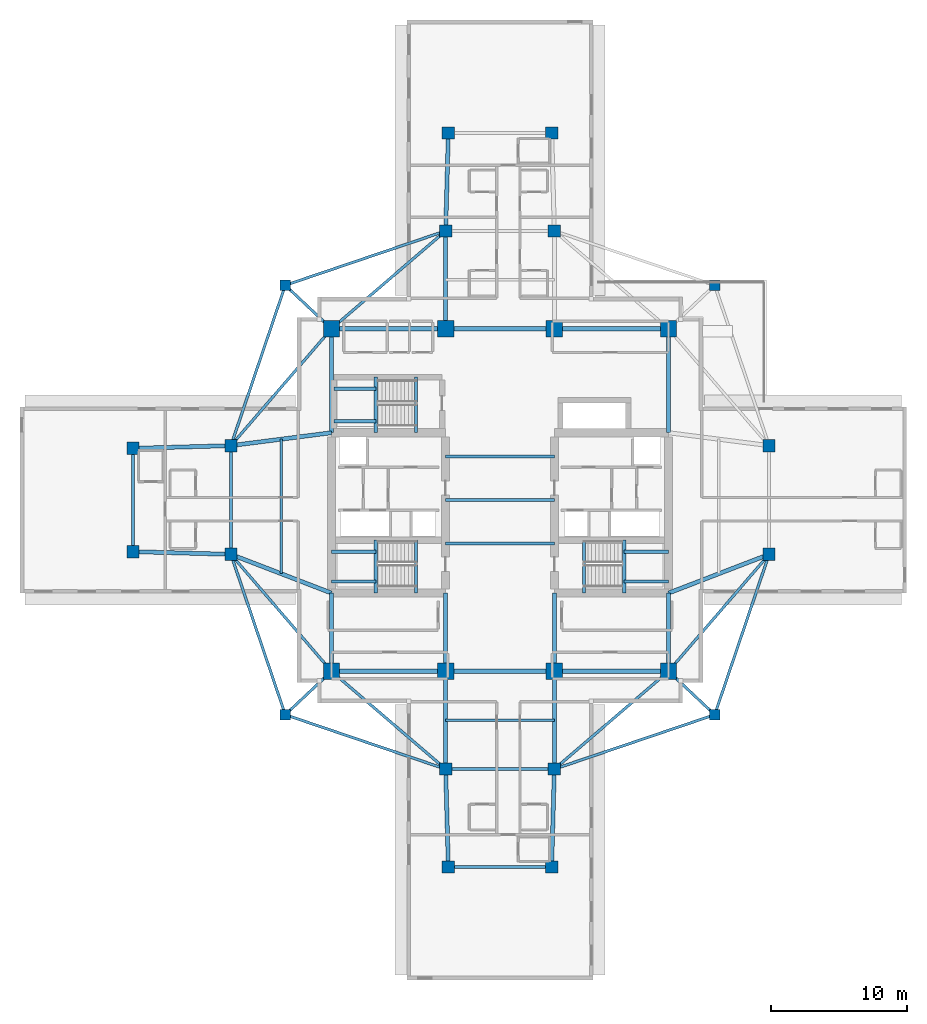
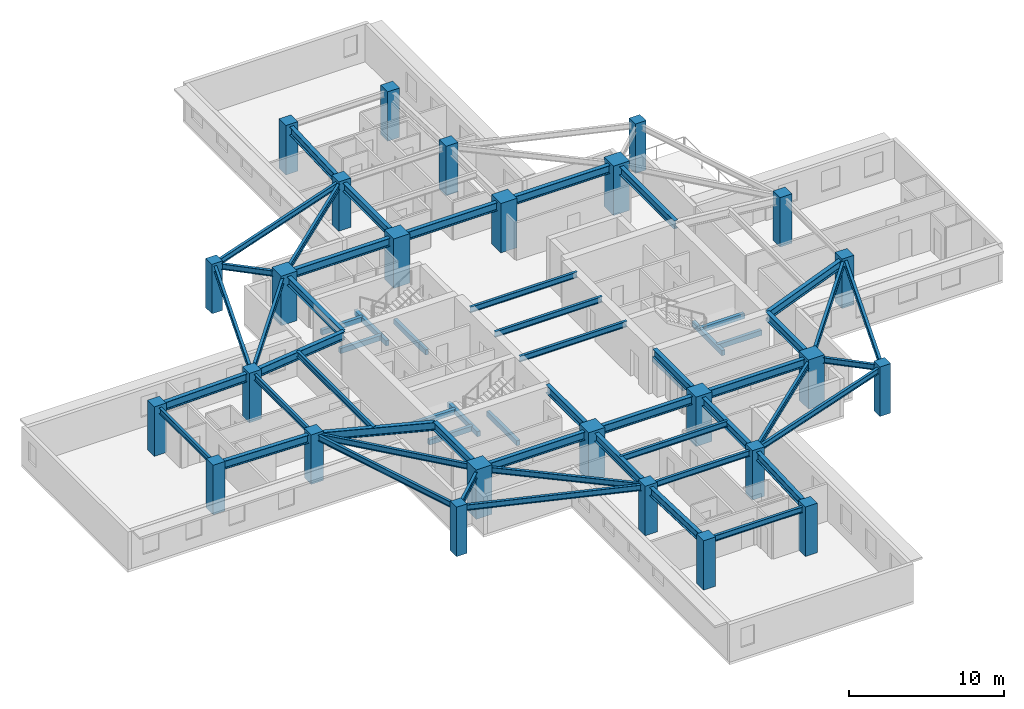
# One storey, part 1 of 13: 59 beams, 26 columns.
"""IFC4 building model written with IfcOpenShell, lengths in metres."""

from ifc_helpers import new_model, si_unit, direction, frame, origin, origin_2d, place, context, subcontext, project, spatial, rectangle, i_section, extrude, material, material_profile, profile_set, type_object, element, save


model = new_model("IFC4")

# Units and contexts
model_context = context("Model", 3, precision=1e-05, world=origin(), true_north=direction((0.0, 1.0)))
body_context = subcontext(model_context, "Body", "Model", "MODEL_VIEW")
ifc_project = project(units=[si_unit("LENGTHUNIT", "METRE"), si_unit("AREAUNIT", "SQUARE_METRE"), si_unit("VOLUMEUNIT", "CUBIC_METRE"), si_unit("PLANEANGLEUNIT", "RADIAN"), si_unit("MASSUNIT", "GRAM", prefix="KILO")], contexts=[model_context])

# Site, building, storey
site_placement = place(None, origin())
site = spatial("IfcSite", under=ifc_project, at=site_placement, CompositionType="ELEMENT")
building_placement = place(site_placement, origin())
building = spatial("IfcBuilding", under=site, at=building_placement, Name="Qingluan Cross Belvedere", CompositionType="ELEMENT")
storey_placement = place(building_placement, frame((0.0, 0.0, 183.89990234375)))
storey = spatial("IfcBuildingStorey", under=building, at=storey_placement, Name="L46", CompositionType="ELEMENT", Elevation=183.89990234375)

# Columns
ifc_material_1 = material(Name="Concrete C60", Category="concrete")
ifc_material_profile_1 = material_profile(ifc_material_1, rectangle(XDim=1.199951171875, YDim=1.199951171875, at=origin_2d()), Name="RC1200x1200")
ifc_profile_set_1 = profile_set([ifc_material_profile_1], Name="Concrete C60")
column_type_1 = type_object("IfcColumnType", Name="Column_RC1200x1200", PredefinedType="COLUMN", material=ifc_profile_set_1)
for number, where, z_axis, x_axis, name in (
    (1, (-12.39990234375, -12.60009765625, 0.0), (0.0, 0.0, 1.0), (1.0, 0.0, 0.0), "Hub column L46-HC1"),
    (2, (12.39990234375, -12.60009765625, 0.0), (0.0, 0.0, 1.0), (1.0, 0.0, 0.0), "Hub column L46-HC2"),
    (3, (12.39990234375, 12.60009765625, 0.0), (0.0, 0.0, 1.0), (1.0, 0.0, 0.0), "Hub column L46-HC3"),
    (4, (-12.39990234375, 12.60009765625, 0.0), (0.0, 0.0, 1.0), (1.0, 0.0, 0.0), "Hub column L46-HC4"),
    (5, (-4.0, -12.60009765625, 0.0), (0.0, 0.0, 1.0), (1.0, 0.0, 0.0), "Hub column L46-HC5"),
    (6, (4.0, -12.60009765625, 0.0), (0.0, 0.0, 1.0), (1.0, 0.0, 0.0), "Hub column L46-HC6"),
    (7, (4.0, 12.60009765625, 0.0), (0.0, 0.0, 1.0), (1.0, 0.0, 0.0), "Hub column L46-HC7"),
    (8, (-4.0, 12.60009765625, 0.0), (0.0, 0.0, 1.0), (1.0, 0.0, 0.0), "Hub column L46-HC8"),
):
    element("IfcColumn", number, at=place(storey_placement, frame(where, z_axis=z_axis, x_axis=x_axis)), inside=storey, type_object=column_type_1, Name=name, PredefinedType="COLUMN", context=body_context, shape_type="SweptSolid", body=[
        extrude(rectangle(XDim=1.199951171875, YDim=1.199951171875, at=origin_2d()), origin(), (0.0, 0.0, 1.0), 3.900146484375),
    ])
ifc_material_2 = material(Name="Concrete C50", Category="concrete")
ifc_material_profile_2 = material_profile(ifc_material_2, rectangle(XDim=0.800048828125, YDim=0.800048828125, at=origin_2d()), Name="RC800x800")
ifc_profile_set_2 = profile_set([ifc_material_profile_2], Name="Concrete C50")
column_type_2 = type_object("IfcColumnType", Name="Column_RC800x800", PredefinedType="COLUMN", material=ifc_profile_set_2)
for number, where, z_axis, x_axis, name in (
    (9, (15.800048828125, 15.800048828125, 0.0), (0.0, 0.0, 1.0), (1.0, 0.0, 0.0), "Corner column L46-RNE"),
    (10, (-15.800048828125, 15.800048828125, 0.0), (0.0, 0.0, 1.0), (1.0, 0.0, 0.0), "Corner column L46-RNW"),
    (11, (-15.800048828125, -15.800048828125, 0.0), (0.0, 0.0, 1.0), (1.0, 0.0, 0.0), "Corner column L46-RSW"),
    (12, (15.800048828125, -15.800048828125, 0.0), (0.0, 0.0, 1.0), (1.0, 0.0, 0.0), "Corner column L46-RSE"),
):
    element("IfcColumn", number, at=place(storey_placement, frame(where, z_axis=z_axis, x_axis=x_axis)), inside=storey, type_object=column_type_2, Name=name, PredefinedType="COLUMN", context=body_context, shape_type="SweptSolid", body=[
        extrude(rectangle(XDim=0.800048828125, YDim=0.800048828125, at=origin_2d()), origin(), (0.0, 0.0, 1.0), 3.900146484375),
    ])
ifc_material_3 = material(Name="Concrete C50", Category="concrete")
ifc_material_profile_3 = material_profile(ifc_material_3, rectangle(XDim=0.89990234375, YDim=0.89990234375, at=origin_2d()), Name="RC900x900")
ifc_profile_set_3 = profile_set([ifc_material_profile_3], Name="Concrete C50")
column_type_3 = type_object("IfcColumnType", Name="Column_RC900x900", PredefinedType="COLUMN", material=ifc_profile_set_3)
for number, where, z_axis, x_axis, name in (
    (13, (19.800048828125, -4.0, 0.0), (0.0, 0.0, 1.0), (1.0, 0.0, 0.0), "Arm column L46-EIA"),
    (14, (19.800048828125, 4.0, 0.0), (0.0, 0.0, 1.0), (1.0, 0.0, 0.0), "Arm column L46-EIB"),
    (15, (-19.800048828125, -4.0, 0.0), (0.0, 0.0, 1.0), (1.0, 0.0, 0.0), "Arm column L46-WIA"),
    (16, (-19.800048828125, 4.0, 0.0), (0.0, 0.0, 1.0), (1.0, 0.0, 0.0), "Arm column L46-WIB"),
    (17, (-4.0, -19.800048828125, 0.0), (0.0, 0.0, 1.0), (1.0, 0.0, 0.0), "Arm column L46-SIA"),
    (18, (4.0, -19.800048828125, 0.0), (0.0, 0.0, 1.0), (1.0, 0.0, 0.0), "Arm column L46-SIB"),
    (19, (-4.0, 19.800048828125, 0.0), (0.0, 0.0, 1.0), (1.0, 0.0, 0.0), "Arm column L46-NIA"),
    (20, (4.0, 19.800048828125, 0.0), (0.0, 0.0, 1.0), (1.0, 0.0, 0.0), "Arm column L46-NIB"),
    (21, (-27.0, -3.800048828125, 0.0), (0.0, 0.0, 1.0), (1.0, 0.0, 0.0), "Arm column L46-WOA"),
    (22, (-27.0, 3.800048828125, 0.0), (0.0, 0.0, 1.0), (1.0, 0.0, 0.0), "Arm column L46-WOB"),
    (23, (-3.800048828125, -27.0, 0.0), (0.0, 0.0, 1.0), (1.0, 0.0, 0.0), "Arm column L46-SOA"),
    (24, (3.800048828125, -27.0, 0.0), (0.0, 0.0, 1.0), (1.0, 0.0, 0.0), "Arm column L46-SOB"),
    (25, (-3.800048828125, 27.0, 0.0), (0.0, 0.0, 1.0), (1.0, 0.0, 0.0), "Arm column L46-NOA"),
    (26, (3.800048828125, 27.0, 0.0), (0.0, 0.0, 1.0), (1.0, 0.0, 0.0), "Arm column L46-NOB"),
):
    element("IfcColumn", number, at=place(storey_placement, frame(where, z_axis=z_axis, x_axis=x_axis)), inside=storey, type_object=column_type_3, Name=name, PredefinedType="COLUMN", context=body_context, shape_type="SweptSolid", body=[
        extrude(rectangle(XDim=0.89990234375, YDim=0.89990234375, at=origin_2d()), origin(), (0.0, 0.0, 1.0), 3.900146484375),
    ])

# Beams
ifc_material_4 = material(Name="Concrete C45", Category="concrete")
ifc_material_profile_4 = material_profile(ifc_material_4, rectangle(XDim=0.25, YDim=0.39990234375, at=origin_2d()), Name="RC250x400")
ifc_profile_set_4 = profile_set([ifc_material_profile_4], Name="Concrete C45")
beam_type_1 = type_object("IfcBeamType", Name="RC_Lintel_RC250x400", PredefinedType="LINTEL", material=ifc_profile_set_4)
for number, where, z_axis, x_axis, name in (
    (27, (-6.179931640625, -6.85009765625, -0.199951171875), (0.0, 1.0, 0.0), (-1.0, 0.0, 0.0), "Stair ST1 landing beam L46"),
    (28, (6.179931640625, -6.85009765625, -0.199951171875), (0.0, 1.0, 0.0), (-1.0, 0.0, 0.0), "Stair ST2 landing beam L46"),
):
    element("IfcBeam", number, at=place(storey_placement, frame(where, z_axis=z_axis, x_axis=x_axis)), inside=storey, type_object=beam_type_1, Name=name, PredefinedType="LINTEL", context=body_context, shape_type="SweptSolid", body=[
        extrude(rectangle(XDim=0.25, YDim=0.39990234375, at=origin_2d()), origin(), (0.0, 0.0, 1.0), 3.89013671875),
    ])
beam_1_placement = place(storey_placement, frame((-6.179931640625, 4.949951171875, -0.199951171875), z_axis=(0.0, 1.0, 0.0), x_axis=(-1.0, 0.0, 0.0)))
element("IfcBeam", 29, at=beam_1_placement, inside=storey, type_object=beam_type_1, Name="Stair ST3 landing beam L46", PredefinedType="LINTEL", context=body_context, shape_type="SweptSolid", body=[
    extrude(rectangle(XDim=0.25, YDim=0.39990234375, at=origin_2d()), origin(), (0.0, 0.0, 1.0), 4.090087890625),
])
beam_2_placement = place(storey_placement, frame((-9.1298828125, -6.85009765625, 1.550048828125), z_axis=(0.0, 1.0, 0.0), x_axis=(-1.0, 0.0, 0.0)))
element("IfcBeam", 30, at=beam_2_placement, inside=storey, type_object=beam_type_1, Name="Stair ST1 beam A L46", PredefinedType="LINTEL", context=body_context, shape_type="SweptSolid", body=[
    extrude(rectangle(XDim=0.25, YDim=0.39990234375, at=origin_2d()), origin(), (0.0, 0.0, 1.0), 3.89013671875),
])
for number, where, z_axis, x_axis, name in (
    (31, (-12.39990234375, -6.0, 1.550048828125), (1.0, 0.0, 0.0), (0.0, 1.0, 0.0), "Stair ST1 beam B L46"),
    (32, (-12.39990234375, -3.81005859375, 1.550048828125), (1.0, 0.0, 0.0), (0.0, 1.0, 0.0), "Stair ST1 beam C L46"),
):
    element("IfcBeam", number, at=place(storey_placement, frame(where, z_axis=z_axis, x_axis=x_axis)), inside=storey, type_object=beam_type_1, Name=name, PredefinedType="LINTEL", context=body_context, shape_type="SweptSolid", body=[
        extrude(rectangle(XDim=0.25, YDim=0.39990234375, at=origin_2d()), origin(), (0.0, 0.0, 1.0), 3.27001953125),
    ])
beam_3_placement = place(storey_placement, frame((9.1298828125, -6.85009765625, 1.550048828125), z_axis=(0.0, 1.0, 0.0), x_axis=(-1.0, 0.0, 0.0)))
element("IfcBeam", 33, at=beam_3_placement, inside=storey, type_object=beam_type_1, Name="Stair ST2 beam A L46", PredefinedType="LINTEL", context=body_context, shape_type="SweptSolid", body=[
    extrude(rectangle(XDim=0.25, YDim=0.39990234375, at=origin_2d()), origin(), (0.0, 0.0, 1.0), 3.89013671875),
])
for number, where, z_axis, x_axis, name in (
    (34, (12.39990234375, -6.0, 1.550048828125), (-1.0, 0.0, 0.0), (0.0, -1.0, 0.0), "Stair ST2 beam B L46"),
    (35, (12.39990234375, -3.81005859375, 1.550048828125), (-1.0, 0.0, 0.0), (0.0, -1.0, 0.0), "Stair ST2 beam C L46"),
):
    element("IfcBeam", number, at=place(storey_placement, frame(where, z_axis=z_axis, x_axis=x_axis)), inside=storey, type_object=beam_type_1, Name=name, PredefinedType="LINTEL", context=body_context, shape_type="SweptSolid", body=[
        extrude(rectangle(XDim=0.25, YDim=0.39990234375, at=origin_2d()), origin(), (0.0, 0.0, 1.0), 3.27001953125),
    ])
beam_4_placement = place(storey_placement, frame((-9.1298828125, 4.949951171875, 1.550048828125), z_axis=(0.0, 1.0, 0.0), x_axis=(-1.0, 0.0, 0.0)))
element("IfcBeam", 36, at=beam_4_placement, inside=storey, type_object=beam_type_1, Name="Stair ST3 beam A L46", PredefinedType="LINTEL", context=body_context, shape_type="SweptSolid", body=[
    extrude(rectangle(XDim=0.25, YDim=0.39990234375, at=origin_2d()), origin(), (0.0, 0.0, 1.0), 4.090087890625),
])
for number, where, z_axis, x_axis, name in (
    (37, (-12.219970703125, 5.800048828125, 1.550048828125), (1.0, 0.0, 0.0), (0.0, 1.0, 0.0), "Stair ST3 beam B L46"),
    (38, (-12.219970703125, 8.18994140625, 1.550048828125), (1.0, 0.0, 0.0), (0.0, 1.0, 0.0), "Stair ST3 beam C L46"),
):
    element("IfcBeam", number, at=place(storey_placement, frame(where, z_axis=z_axis, x_axis=x_axis)), inside=storey, type_object=beam_type_1, Name=name, PredefinedType="LINTEL", context=body_context, shape_type="SweptSolid", body=[
        extrude(rectangle(XDim=0.25, YDim=0.39990234375, at=origin_2d()), origin(), (0.0, 0.0, 1.0), 3.090087890625),
    ])
ifc_material_5 = material(Name="Steel Q420GJB", Category="steel")
ifc_material_profile_5 = material_profile(ifc_material_5, i_section(OverallWidth=0.199951171875, OverallDepth=0.449951171875, WebThickness=0.009033203125, FlangeThickness=0.013916015625, FilletRadius=0.01611328125, at=origin_2d()), Name="HN450x200x9x14")
ifc_profile_set_5 = profile_set([ifc_material_profile_5], Name="Steel Q420GJB")
beam_type_2 = type_object("IfcBeamType", Name="Steel_Beam_HN450x200x9x14", PredefinedType="JOIST", material=ifc_profile_set_5)
beam_5_placement = place(storey_placement, frame((-12.39990234375, 12.60009765625, 3.47509765625), z_axis=(-0.728219948308, 0.685343495546, 0.0), x_axis=(-0.685343495546, -0.728219948308, 0.0)))
element("IfcBeam", 39, at=beam_5_placement, inside=storey, type_object=beam_type_2, Name="Corner beam 1 L46-RNW", PredefinedType="JOIST", context=body_context, shape_type="SweptSolid", body=[
    extrude(i_section(OverallWidth=0.199951171875, OverallDepth=0.449951171875, WebThickness=0.009033203125, FlangeThickness=0.013916015625, FilletRadius=0.01611328125, at=origin_2d()), origin(), (0.0, 0.0, 1.0), 4.669189453125),
])
for number, where, z_axis, x_axis, name in (
    (40, (-15.800048828125, 15.800048828125, 3.47509765625), (0.947066283324, 0.321038089628, 0.0), (-0.321038089628, 0.947066283324, 0.0), "Corner beam 2 L46-RNW"),
    (41, (-15.800048828125, 15.800048828125, 3.47509765625), (-0.321038089628, -0.947066283324, 0.0), (0.947066283324, -0.321038089628, 0.0), "Corner beam 3 L46-RNW"),
):
    element("IfcBeam", number, at=place(storey_placement, frame(where, z_axis=z_axis, x_axis=x_axis)), inside=storey, type_object=beam_type_2, Name=name, PredefinedType="JOIST", context=body_context, shape_type="SweptSolid", body=[
        extrude(i_section(OverallWidth=0.199951171875, OverallDepth=0.449951171875, WebThickness=0.009033203125, FlangeThickness=0.013916015625, FilletRadius=0.01611328125, at=origin_2d()), origin(), (0.0, 0.0, 1.0), 12.45947265625),
    ])
beam_6_placement = place(storey_placement, frame((-12.39990234375, 12.60009765625, 3.47509765625), z_axis=(-0.652245077546, -0.75800815221, 0.0), x_axis=(0.75800815221, -0.652245077546, 0.0)))
element("IfcBeam", 42, at=beam_6_placement, inside=storey, type_object=beam_type_2, Name="Corner beam 4 L46-RNW", PredefinedType="JOIST", context=body_context, shape_type="SweptSolid", body=[
    extrude(i_section(OverallWidth=0.199951171875, OverallDepth=0.449951171875, WebThickness=0.009033203125, FlangeThickness=0.013916015625, FilletRadius=0.01611328125, at=origin_2d()), origin(), (0.0, 0.0, 1.0), 11.345703125),
])
beam_7_placement = place(storey_placement, frame((-12.39990234375, 12.60009765625, 3.47509765625), z_axis=(0.759255044656, 0.650793190779, 0.0), x_axis=(-0.650793190779, 0.759255044656, 0.0)))
element("IfcBeam", 43, at=beam_7_placement, inside=storey, type_object=beam_type_2, Name="Corner beam 5 L46-RNW", PredefinedType="JOIST", context=body_context, shape_type="SweptSolid", body=[
    extrude(i_section(OverallWidth=0.199951171875, OverallDepth=0.449951171875, WebThickness=0.009033203125, FlangeThickness=0.013916015625, FilletRadius=0.01611328125, at=origin_2d()), origin(), (0.0, 0.0, 1.0), 11.063232421875),
])
beam_8_placement = place(storey_placement, frame((-12.39990234375, -12.60009765625, 3.47509765625), z_axis=(-0.728219948308, -0.685343495546, 0.0), x_axis=(0.685343495546, -0.728219948308, 0.0)))
element("IfcBeam", 44, at=beam_8_placement, inside=storey, type_object=beam_type_2, Name="Corner beam 1 L46-RSW", PredefinedType="JOIST", context=body_context, shape_type="SweptSolid", body=[
    extrude(i_section(OverallWidth=0.199951171875, OverallDepth=0.449951171875, WebThickness=0.009033203125, FlangeThickness=0.013916015625, FilletRadius=0.01611328125, at=origin_2d()), origin(), (0.0, 0.0, 1.0), 4.669189453125),
])
for number, where, z_axis, x_axis, name in (
    (45, (-15.800048828125, -15.800048828125, 3.47509765625), (0.947066283324, -0.321038089628, 0.0), (0.321038089628, 0.947066283324, 0.0), "Corner beam 2 L46-RSW"),
    (46, (-15.800048828125, -15.800048828125, 3.47509765625), (-0.321038089628, 0.947066283324, 0.0), (-0.947066283324, -0.321038089628, 0.0), "Corner beam 3 L46-RSW"),
):
    element("IfcBeam", number, at=place(storey_placement, frame(where, z_axis=z_axis, x_axis=x_axis)), inside=storey, type_object=beam_type_2, Name=name, PredefinedType="JOIST", context=body_context, shape_type="SweptSolid", body=[
        extrude(i_section(OverallWidth=0.199951171875, OverallDepth=0.449951171875, WebThickness=0.009033203125, FlangeThickness=0.013916015625, FilletRadius=0.01611328125, at=origin_2d()), origin(), (0.0, 0.0, 1.0), 12.45947265625),
    ])
beam_9_placement = place(storey_placement, frame((-12.39990234375, -12.60009765625, 3.47509765625), z_axis=(-0.652245077546, 0.75800815221, 0.0), x_axis=(-0.75800815221, -0.652245077546, 0.0)))
element("IfcBeam", 47, at=beam_9_placement, inside=storey, type_object=beam_type_2, Name="Corner beam 4 L46-RSW", PredefinedType="JOIST", context=body_context, shape_type="SweptSolid", body=[
    extrude(i_section(OverallWidth=0.199951171875, OverallDepth=0.449951171875, WebThickness=0.009033203125, FlangeThickness=0.013916015625, FilletRadius=0.01611328125, at=origin_2d()), origin(), (0.0, 0.0, 1.0), 11.345703125),
])
beam_10_placement = place(storey_placement, frame((-12.39990234375, -12.60009765625, 3.47509765625), z_axis=(0.759255044656, -0.650793190779, 0.0), x_axis=(0.650793190779, 0.759255044656, 0.0)))
element("IfcBeam", 48, at=beam_10_placement, inside=storey, type_object=beam_type_2, Name="Corner beam 5 L46-RSW", PredefinedType="JOIST", context=body_context, shape_type="SweptSolid", body=[
    extrude(i_section(OverallWidth=0.199951171875, OverallDepth=0.449951171875, WebThickness=0.009033203125, FlangeThickness=0.013916015625, FilletRadius=0.01611328125, at=origin_2d()), origin(), (0.0, 0.0, 1.0), 11.063232421875),
])
beam_11_placement = place(storey_placement, frame((12.39990234375, -12.60009765625, 3.47509765625), z_axis=(0.728219948308, -0.685343495546, 0.0), x_axis=(0.685343495546, 0.728219948308, 0.0)))
element("IfcBeam", 49, at=beam_11_placement, inside=storey, type_object=beam_type_2, Name="Corner beam 1 L46-RSE", PredefinedType="JOIST", context=body_context, shape_type="SweptSolid", body=[
    extrude(i_section(OverallWidth=0.199951171875, OverallDepth=0.449951171875, WebThickness=0.009033203125, FlangeThickness=0.013916015625, FilletRadius=0.01611328125, at=origin_2d()), origin(), (0.0, 0.0, 1.0), 4.669189453125),
])
for number, where, z_axis, x_axis, name in (
    (50, (15.800048828125, -15.800048828125, 3.47509765625), (-0.947066283324, -0.321038089628, 0.0), (0.321038089628, -0.947066283324, 0.0), "Corner beam 2 L46-RSE"),
    (51, (15.800048828125, -15.800048828125, 3.47509765625), (0.321038089628, 0.947066283324, 0.0), (-0.947066283324, 0.321038089628, 0.0), "Corner beam 3 L46-RSE"),
):
    element("IfcBeam", number, at=place(storey_placement, frame(where, z_axis=z_axis, x_axis=x_axis)), inside=storey, type_object=beam_type_2, Name=name, PredefinedType="JOIST", context=body_context, shape_type="SweptSolid", body=[
        extrude(i_section(OverallWidth=0.199951171875, OverallDepth=0.449951171875, WebThickness=0.009033203125, FlangeThickness=0.013916015625, FilletRadius=0.01611328125, at=origin_2d()), origin(), (0.0, 0.0, 1.0), 12.45947265625),
    ])
beam_12_placement = place(storey_placement, frame((12.39990234375, -12.60009765625, 3.47509765625), z_axis=(0.652245077546, 0.75800815221, 0.0), x_axis=(-0.75800815221, 0.652245077546, 0.0)))
element("IfcBeam", 52, at=beam_12_placement, inside=storey, type_object=beam_type_2, Name="Corner beam 4 L46-RSE", PredefinedType="JOIST", context=body_context, shape_type="SweptSolid", body=[
    extrude(i_section(OverallWidth=0.199951171875, OverallDepth=0.449951171875, WebThickness=0.009033203125, FlangeThickness=0.013916015625, FilletRadius=0.01611328125, at=origin_2d()), origin(), (0.0, 0.0, 1.0), 11.345703125),
])
beam_13_placement = place(storey_placement, frame((12.39990234375, -12.60009765625, 3.47509765625), z_axis=(-0.759255044656, -0.650793190779, 0.0), x_axis=(0.650793190779, -0.759255044656, 0.0)))
element("IfcBeam", 53, at=beam_13_placement, inside=storey, type_object=beam_type_2, Name="Corner beam 5 L46-RSE", PredefinedType="JOIST", context=body_context, shape_type="SweptSolid", body=[
    extrude(i_section(OverallWidth=0.199951171875, OverallDepth=0.449951171875, WebThickness=0.009033203125, FlangeThickness=0.013916015625, FilletRadius=0.01611328125, at=origin_2d()), origin(), (0.0, 0.0, 1.0), 11.063232421875),
])
for number, where, z_axis, x_axis, name in (
    (54, (-4.0, -3.199951171875, 3.47509765625), (1.0, 0.0, 0.0), (0.0, 1.0, 0.0), "Hall beam L46-CH1"),
    (55, (-4.0, 0.0, 3.47509765625), (1.0, 0.0, 0.0), (0.0, 1.0, 0.0), "Hall beam L46-CH2"),
    (56, (-4.0, 3.199951171875, 3.47509765625), (1.0, 0.0, 0.0), (0.0, 1.0, 0.0), "Hall beam L46-CH3"),
    (57, (-19.800048828125, -4.0, 3.47509765625), (0.0, 1.0, 0.0), (-1.0, 0.0, 0.0), "Arm W tie L46"),
):
    element("IfcBeam", number, at=place(storey_placement, frame(where, z_axis=z_axis, x_axis=x_axis)), inside=storey, type_object=beam_type_2, Name=name, PredefinedType="JOIST", context=body_context, shape_type="SweptSolid", body=[
        extrude(i_section(OverallWidth=0.199951171875, OverallDepth=0.449951171875, WebThickness=0.009033203125, FlangeThickness=0.013916015625, FilletRadius=0.01611328125, at=origin_2d()), origin(), (0.0, 0.0, 1.0), 8.0),
    ])
beam_14_placement = place(storey_placement, frame((-16.10009765625, -5.425048828125, 3.47509765625), z_axis=(0.0, 1.0, 0.0), x_axis=(-1.0, 0.0, 0.0)))
element("IfcBeam", 58, at=beam_14_placement, inside=storey, type_object=beam_type_2, Name="Arm W beam L46", PredefinedType="JOIST", context=body_context, shape_type="SweptSolid", body=[
    extrude(i_section(OverallWidth=0.199951171875, OverallDepth=0.449951171875, WebThickness=0.009033203125, FlangeThickness=0.013916015625, FilletRadius=0.01611328125, at=origin_2d()), origin(), (0.0, 0.0, 1.0), 9.900146484375),
])
beam_15_placement = place(storey_placement, frame((-27.0, -3.800048828125, 3.47509765625), z_axis=(0.0, 1.0, 0.0), x_axis=(-1.0, 0.0, 0.0)))
element("IfcBeam", 59, at=beam_15_placement, inside=storey, type_object=beam_type_2, Name="Arm W tip transverse beam L46", PredefinedType="JOIST", context=body_context, shape_type="SweptSolid", body=[
    extrude(i_section(OverallWidth=0.199951171875, OverallDepth=0.449951171875, WebThickness=0.009033203125, FlangeThickness=0.013916015625, FilletRadius=0.01611328125, at=origin_2d()), origin(), (0.0, 0.0, 1.0), 7.60009765625),
])
for number, where, z_axis, x_axis, name in (
    (60, (-4.0, -19.800048828125, 3.47509765625), (1.0, 0.0, 0.0), (0.0, 1.0, 0.0), "Arm S tie L46"),
    (61, (-4.0, -16.199951171875, 3.47509765625), (1.0, 0.0, 0.0), (0.0, 1.0, 0.0), "Arm S beam L46"),
):
    element("IfcBeam", number, at=place(storey_placement, frame(where, z_axis=z_axis, x_axis=x_axis)), inside=storey, type_object=beam_type_2, Name=name, PredefinedType="JOIST", context=body_context, shape_type="SweptSolid", body=[
        extrude(i_section(OverallWidth=0.199951171875, OverallDepth=0.449951171875, WebThickness=0.009033203125, FlangeThickness=0.013916015625, FilletRadius=0.01611328125, at=origin_2d()), origin(), (0.0, 0.0, 1.0), 8.0),
    ])
beam_16_placement = place(storey_placement, frame((-3.800048828125, -27.0, 3.47509765625), z_axis=(1.0, 0.0, 0.0), x_axis=(0.0, 1.0, 0.0)))
element("IfcBeam", 62, at=beam_16_placement, inside=storey, type_object=beam_type_2, Name="Arm S tip transverse beam L46", PredefinedType="JOIST", context=body_context, shape_type="SweptSolid", body=[
    extrude(i_section(OverallWidth=0.199951171875, OverallDepth=0.449951171875, WebThickness=0.009033203125, FlangeThickness=0.013916015625, FilletRadius=0.01611328125, at=origin_2d()), origin(), (0.0, 0.0, 1.0), 7.60009765625),
])
ifc_material_6 = material(Name="Steel Q420GJB", Category="steel")
ifc_material_profile_6 = material_profile(ifc_material_6, i_section(OverallWidth=0.300048828125, OverallDepth=0.64990234375, WebThickness=0.014404296875, FlangeThickness=0.02587890625, FilletRadius=0.027099609375, at=origin_2d()), Name="HEB650")
ifc_profile_set_6 = profile_set([ifc_material_profile_6], Name="Steel Q420GJB")
beam_type_3 = type_object("IfcBeamType", Name="Steel_Girder_HEB650", PredefinedType="USERDEFINED", material=ifc_profile_set_6)
beam_17_placement = place(storey_placement, frame((-12.39990234375, -12.60009765625, 3.375), z_axis=(1.0, 0.0, 0.0), x_axis=(0.0, 1.0, 0.0)))
element("IfcBeam", 63, at=beam_17_placement, inside=storey, type_object=beam_type_3, Name="Hub girder L46-HG-S1", ObjectType="GIRDER", PredefinedType="USERDEFINED", context=body_context, shape_type="SweptSolid", body=[
    extrude(i_section(OverallWidth=0.300048828125, OverallDepth=0.64990234375, WebThickness=0.014404296875, FlangeThickness=0.02587890625, FilletRadius=0.027099609375, at=origin_2d()), origin(), (0.0, 0.0, 1.0), 8.39990234375),
])
beam_18_placement = place(storey_placement, frame((-4.0, -12.60009765625, 3.375), z_axis=(1.0, 0.0, 0.0), x_axis=(0.0, 1.0, 0.0)))
element("IfcBeam", 64, at=beam_18_placement, inside=storey, type_object=beam_type_3, Name="Hub girder L46-HG-S2", ObjectType="GIRDER", PredefinedType="USERDEFINED", context=body_context, shape_type="SweptSolid", body=[
    extrude(i_section(OverallWidth=0.300048828125, OverallDepth=0.64990234375, WebThickness=0.014404296875, FlangeThickness=0.02587890625, FilletRadius=0.027099609375, at=origin_2d()), origin(), (0.0, 0.0, 1.0), 8.0),
])
for number, where, z_axis, x_axis, name in (
    (65, (4.0, -12.60009765625, 3.375), (1.0, 0.0, 0.0), (0.0, 1.0, 0.0), "Hub girder L46-HG-S3"),
    (66, (-12.39990234375, 12.60009765625, 3.375), (1.0, 0.0, 0.0), (0.0, 1.0, 0.0), "Hub girder L46-HG-N1"),
):
    element("IfcBeam", number, at=place(storey_placement, frame(where, z_axis=z_axis, x_axis=x_axis)), inside=storey, type_object=beam_type_3, Name=name, ObjectType="GIRDER", PredefinedType="USERDEFINED", context=body_context, shape_type="SweptSolid", body=[
        extrude(i_section(OverallWidth=0.300048828125, OverallDepth=0.64990234375, WebThickness=0.014404296875, FlangeThickness=0.02587890625, FilletRadius=0.027099609375, at=origin_2d()), origin(), (0.0, 0.0, 1.0), 8.39990234375),
    ])
beam_19_placement = place(storey_placement, frame((-4.0, 12.60009765625, 3.375), z_axis=(1.0, 0.0, 0.0), x_axis=(0.0, 1.0, 0.0)))
element("IfcBeam", 67, at=beam_19_placement, inside=storey, type_object=beam_type_3, Name="Hub girder L46-HG-N2", ObjectType="GIRDER", PredefinedType="USERDEFINED", context=body_context, shape_type="SweptSolid", body=[
    extrude(i_section(OverallWidth=0.300048828125, OverallDepth=0.64990234375, WebThickness=0.014404296875, FlangeThickness=0.02587890625, FilletRadius=0.027099609375, at=origin_2d()), origin(), (0.0, 0.0, 1.0), 8.0),
])
beam_20_placement = place(storey_placement, frame((4.0, 12.60009765625, 3.375), z_axis=(1.0, 0.0, 0.0), x_axis=(0.0, 1.0, 0.0)))
element("IfcBeam", 68, at=beam_20_placement, inside=storey, type_object=beam_type_3, Name="Hub girder L46-HG-N3", ObjectType="GIRDER", PredefinedType="USERDEFINED", context=body_context, shape_type="SweptSolid", body=[
    extrude(i_section(OverallWidth=0.300048828125, OverallDepth=0.64990234375, WebThickness=0.014404296875, FlangeThickness=0.02587890625, FilletRadius=0.027099609375, at=origin_2d()), origin(), (0.0, 0.0, 1.0), 8.39990234375),
])
beam_21_placement = place(storey_placement, frame((-12.39990234375, -12.60009765625, 3.375), z_axis=(0.0, 1.0, 0.0), x_axis=(-1.0, 0.0, 0.0)))
element("IfcBeam", 69, at=beam_21_placement, inside=storey, type_object=beam_type_3, Name="Hub girder L46-HG-W1", ObjectType="GIRDER", PredefinedType="USERDEFINED", context=body_context, shape_type="SweptSolid", body=[
    extrude(i_section(OverallWidth=0.300048828125, OverallDepth=0.64990234375, WebThickness=0.014404296875, FlangeThickness=0.02587890625, FilletRadius=0.027099609375, at=origin_2d()), origin(), (0.0, 0.0, 1.0), 5.75),
])
beam_22_placement = place(storey_placement, frame((-12.39990234375, 4.949951171875, 3.375), z_axis=(0.0, 1.0, 0.0), x_axis=(-1.0, 0.0, 0.0)))
element("IfcBeam", 70, at=beam_22_placement, inside=storey, type_object=beam_type_3, Name="Hub girder L46-HG-W2", ObjectType="GIRDER", PredefinedType="USERDEFINED", context=body_context, shape_type="SweptSolid", body=[
    extrude(i_section(OverallWidth=0.300048828125, OverallDepth=0.64990234375, WebThickness=0.014404296875, FlangeThickness=0.02587890625, FilletRadius=0.027099609375, at=origin_2d()), origin(), (0.0, 0.0, 1.0), 7.650146484375),
])
beam_23_placement = place(storey_placement, frame((12.39990234375, -12.60009765625, 3.375), z_axis=(0.0, 1.0, 0.0), x_axis=(-1.0, 0.0, 0.0)))
element("IfcBeam", 71, at=beam_23_placement, inside=storey, type_object=beam_type_3, Name="Hub girder L46-HG-E1", ObjectType="GIRDER", PredefinedType="USERDEFINED", context=body_context, shape_type="SweptSolid", body=[
    extrude(i_section(OverallWidth=0.300048828125, OverallDepth=0.64990234375, WebThickness=0.014404296875, FlangeThickness=0.02587890625, FilletRadius=0.027099609375, at=origin_2d()), origin(), (0.0, 0.0, 1.0), 5.75),
])
beam_24_placement = place(storey_placement, frame((12.39990234375, 4.949951171875, 3.375), z_axis=(0.0, 1.0, 0.0), x_axis=(-1.0, 0.0, 0.0)))
element("IfcBeam", 72, at=beam_24_placement, inside=storey, type_object=beam_type_3, Name="Hub girder L46-HG-E2", ObjectType="GIRDER", PredefinedType="USERDEFINED", context=body_context, shape_type="SweptSolid", body=[
    extrude(i_section(OverallWidth=0.300048828125, OverallDepth=0.64990234375, WebThickness=0.014404296875, FlangeThickness=0.02587890625, FilletRadius=0.027099609375, at=origin_2d()), origin(), (0.0, 0.0, 1.0), 7.650146484375),
])
for number, where, z_axis, x_axis, name in (
    (73, (-4.0, -12.60009765625, 3.375), (0.0, 1.0, 0.0), (-1.0, 0.0, 0.0), "Hub girder L46-HG-CW"),
    (74, (4.0, -12.60009765625, 3.375), (0.0, 1.0, 0.0), (-1.0, 0.0, 0.0), "Hub girder L46-HG-CE"),
):
    element("IfcBeam", number, at=place(storey_placement, frame(where, z_axis=z_axis, x_axis=x_axis)), inside=storey, type_object=beam_type_3, Name=name, ObjectType="GIRDER", PredefinedType="USERDEFINED", context=body_context, shape_type="SweptSolid", body=[
        extrude(i_section(OverallWidth=0.300048828125, OverallDepth=0.64990234375, WebThickness=0.014404296875, FlangeThickness=0.02587890625, FilletRadius=0.027099609375, at=origin_2d()), origin(), (0.0, 0.0, 1.0), 5.75),
    ])
for number, where, z_axis, x_axis, name in (
    (75, (12.39990234375, -6.85009765625, 3.375), (0.933181258889, 0.359406090735, 0.0), (-0.359406090735, 0.933181258889, 0.0), "Arm E radial girder A L46"),
    (76, (-12.39990234375, -6.85009765625, 3.375), (-0.933181258889, 0.359406090735, 0.0), (-0.359406090735, -0.933181258889, 0.0), "Arm W radial girder A L46"),
):
    element("IfcBeam", number, at=place(storey_placement, frame(where, z_axis=z_axis, x_axis=x_axis)), inside=storey, type_object=beam_type_3, Name=name, ObjectType="GIRDER", PredefinedType="USERDEFINED", context=body_context, shape_type="SweptSolid", body=[
        extrude(i_section(OverallWidth=0.300048828125, OverallDepth=0.64990234375, WebThickness=0.014404296875, FlangeThickness=0.02587890625, FilletRadius=0.027099609375, at=origin_2d()), origin(), (0.0, 0.0, 1.0), 7.929931640625),
    ])
beam_25_placement = place(storey_placement, frame((-12.39990234375, 4.949951171875, 3.375), z_axis=(-0.991861120628, -0.12732445714, 0.0), x_axis=(0.12732445714, -0.991861120628, 0.0)))
element("IfcBeam", 77, at=beam_25_placement, inside=storey, type_object=beam_type_3, Name="Arm W radial girder B L46", ObjectType="GIRDER", PredefinedType="USERDEFINED", context=body_context, shape_type="SweptSolid", body=[
    extrude(i_section(OverallWidth=0.300048828125, OverallDepth=0.64990234375, WebThickness=0.014404296875, FlangeThickness=0.02587890625, FilletRadius=0.027099609375, at=origin_2d()), origin(), (0.0, 0.0, 1.0), 7.4609375),
])
for number, where, z_axis, x_axis, name in (
    (78, (-19.800048828125, -4.0, 3.375), (-0.999614603568, 0.027760481514, 0.0), (-0.027760481514, -0.999614603568, 0.0), "Arm W outer radial girder A L46"),
    (79, (-19.800048828125, 4.0, 3.375), (-0.999614603568, -0.027760481514, 0.0), (0.027760481514, -0.999614603568, 0.0), "Arm W outer radial girder B L46"),
):
    element("IfcBeam", number, at=place(storey_placement, frame(where, z_axis=z_axis, x_axis=x_axis)), inside=storey, type_object=beam_type_3, Name=name, ObjectType="GIRDER", PredefinedType="USERDEFINED", context=body_context, shape_type="SweptSolid", body=[
        extrude(i_section(OverallWidth=0.300048828125, OverallDepth=0.64990234375, WebThickness=0.014404296875, FlangeThickness=0.02587890625, FilletRadius=0.027099609375, at=origin_2d()), origin(), (0.0, 0.0, 1.0), 7.20263671875),
    ])
beam_26_placement = place(storey_placement, frame((-4.0, 12.60009765625, 3.375), z_axis=(0.0, 1.0, 0.0), x_axis=(-1.0, 0.0, 0.0)))
element("IfcBeam", 80, at=beam_26_placement, inside=storey, type_object=beam_type_3, Name="Arm N radial girder A L46", ObjectType="GIRDER", PredefinedType="USERDEFINED", context=body_context, shape_type="SweptSolid", body=[
    extrude(i_section(OverallWidth=0.300048828125, OverallDepth=0.64990234375, WebThickness=0.014404296875, FlangeThickness=0.02587890625, FilletRadius=0.027099609375, at=origin_2d()), origin(), (0.0, 0.0, 1.0), 7.199951171875),
])
beam_27_placement = place(storey_placement, frame((-4.0, 19.800048828125, 3.375), z_axis=(0.027760481514, 0.999614603568, 0.0), x_axis=(-0.999614603568, 0.027760481514, 0.0)))
element("IfcBeam", 81, at=beam_27_placement, inside=storey, type_object=beam_type_3, Name="Arm N outer radial girder A L46", ObjectType="GIRDER", PredefinedType="USERDEFINED", context=body_context, shape_type="SweptSolid", body=[
    extrude(i_section(OverallWidth=0.300048828125, OverallDepth=0.64990234375, WebThickness=0.014404296875, FlangeThickness=0.02587890625, FilletRadius=0.027099609375, at=origin_2d()), origin(), (0.0, 0.0, 1.0), 7.20263671875),
])
for number, where, z_axis, x_axis, name in (
    (82, (-4.0, -12.60009765625, 3.375), (0.0, -1.0, 0.0), (1.0, 0.0, 0.0), "Arm S radial girder A L46"),
    (83, (4.0, -12.60009765625, 3.375), (0.0, -1.0, 0.0), (1.0, 0.0, 0.0), "Arm S radial girder B L46"),
):
    element("IfcBeam", number, at=place(storey_placement, frame(where, z_axis=z_axis, x_axis=x_axis)), inside=storey, type_object=beam_type_3, Name=name, ObjectType="GIRDER", PredefinedType="USERDEFINED", context=body_context, shape_type="SweptSolid", body=[
        extrude(i_section(OverallWidth=0.300048828125, OverallDepth=0.64990234375, WebThickness=0.014404296875, FlangeThickness=0.02587890625, FilletRadius=0.027099609375, at=origin_2d()), origin(), (0.0, 0.0, 1.0), 7.199951171875),
    ])
for number, where, z_axis, x_axis, name in (
    (84, (-4.0, -19.800048828125, 3.375), (0.027760481514, -0.999614603568, 0.0), (0.999614603568, 0.027760481514, 0.0), "Arm S outer radial girder A L46"),
    (85, (4.0, -19.800048828125, 3.375), (-0.027760481514, -0.999614603568, 0.0), (0.999614603568, -0.027760481514, 0.0), "Arm S outer radial girder B L46"),
):
    element("IfcBeam", number, at=place(storey_placement, frame(where, z_axis=z_axis, x_axis=x_axis)), inside=storey, type_object=beam_type_3, Name=name, ObjectType="GIRDER", PredefinedType="USERDEFINED", context=body_context, shape_type="SweptSolid", body=[
        extrude(i_section(OverallWidth=0.300048828125, OverallDepth=0.64990234375, WebThickness=0.014404296875, FlangeThickness=0.02587890625, FilletRadius=0.027099609375, at=origin_2d()), origin(), (0.0, 0.0, 1.0), 7.20263671875),
    ])

save(model, "model.ifc")
